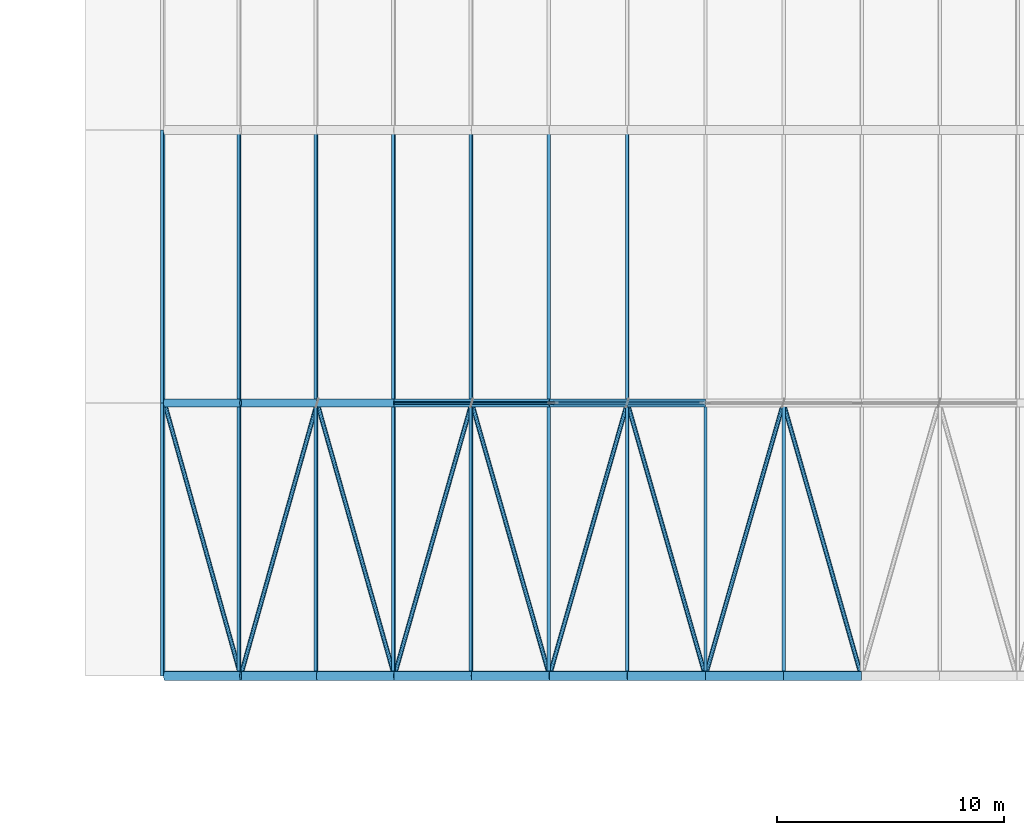
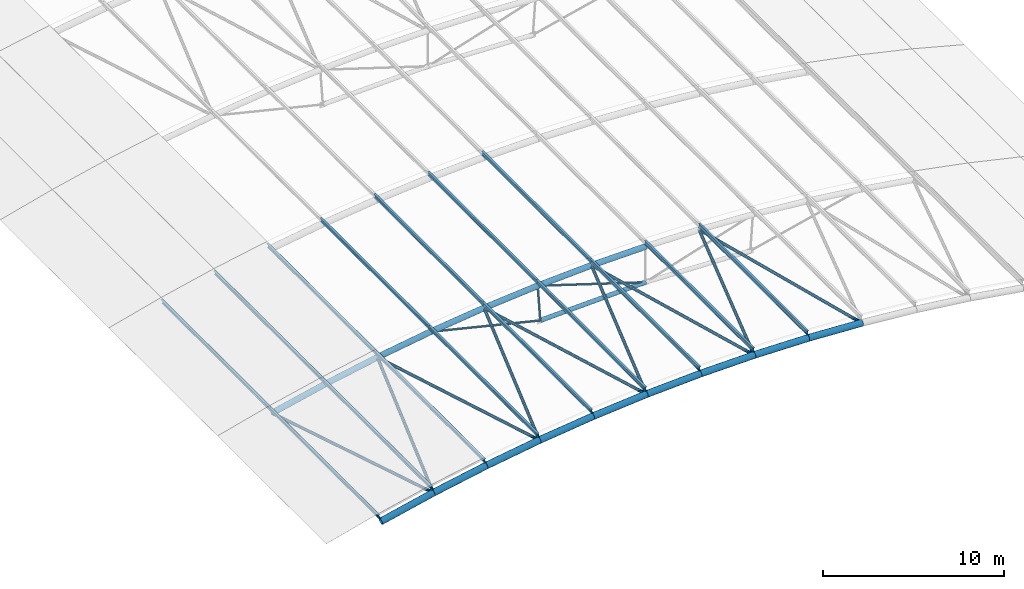
# One storey, part 5 of 91: 45 members.
"""IFC4 building model written with IfcOpenShell, lengths in metres."""

from ifc_helpers import new_model, si_unit, direction, frame, origin, origin_2d, place, context, subcontext, project, spatial, hollow_circle, i_section, extrude, material, material_profile, profile_set, type_object, element, save


model = new_model("IFC4")

# Units and contexts
model_context = context("Model", 3, precision=1e-05, world=origin(), true_north=direction((0.0, 1.0)))
body_context = subcontext(model_context, "Body", "Model", "MODEL_VIEW")
ifc_project = project(units=[si_unit("LENGTHUNIT", "METRE"), si_unit("AREAUNIT", "SQUARE_METRE"), si_unit("VOLUMEUNIT", "CUBIC_METRE"), si_unit("PLANEANGLEUNIT", "RADIAN"), si_unit("MASSUNIT", "GRAM", prefix="KILO")], contexts=[model_context])

# Site, building, storey
site_placement = place(None, origin())
site = spatial("IfcSite", under=ifc_project, at=site_placement, CompositionType="ELEMENT")
building_placement = place(site_placement, origin())
building = spatial("IfcBuilding", under=site, at=building_placement, Name="Ravi Spectrum Wholesale Market", CompositionType="ELEMENT")
storey_placement = place(building_placement, frame((0.0, 0.0, 16.199951171875)))
storey = spatial("IfcBuildingStorey", under=building, at=storey_placement, Name="ROOF PLANT LEVEL", CompositionType="ELEMENT", Elevation=16.199951171875)

# Members
ifc_material_1 = material(Name="Steel S355", Category="steel")
ifc_material_profile_1 = material_profile(ifc_material_1, hollow_circle(Radius=0.06982421875, WallThickness=0.0048828125, at=origin_2d()))
ifc_profile_set_1 = profile_set([ifc_material_profile_1], Name="Steel S355")
member_type_1 = type_object("IfcMemberType", Name="CHS 139.7x5 brace", PredefinedType="BRACE", material=ifc_profile_set_1)
member_1_placement = place(storey_placement, frame((56.318115234375, 42.0, 2.079833984375), z_axis=(0.97214359809, 0.0, -0.234386059083), x_axis=(0.0, 1.0, 0.0)))
element("IfcMember", 1, at=member_1_placement, inside=storey, type_object=member_type_1, Name="H1-MB-L02-150", PredefinedType="BRACE", context=body_context, shape_type="SweptSolid", body=[
    extrude(hollow_circle(Radius=0.06982421875, WallThickness=0.0048828125, at=origin_2d()), origin(), (0.0, 0.0, 1.0), 7.190185546875),
])
member_2_placement = place(storey_placement, frame((63.142822265625, 42.0, 2.788818359375), z_axis=(0.953666273238, 0.0, -0.300866480833), x_axis=(0.0, 1.0, 0.0)))
element("IfcMember", 2, at=member_2_placement, inside=storey, type_object=member_type_1, Name="H1-MB-L02-151", PredefinedType="BRACE", context=body_context, shape_type="SweptSolid", body=[
    extrude(hollow_circle(Radius=0.06982421875, WallThickness=0.0048828125, at=origin_2d()), origin(), (0.0, 0.0, 1.0), 7.1904296875),
])
ifc_material_2 = material(Name="Steel S355", Category="steel")
ifc_material_profile_2 = material_profile(ifc_material_2, hollow_circle(Radius=0.06982421875, WallThickness=0.0048828125, at=origin_2d()))
ifc_profile_set_2 = profile_set([ifc_material_profile_2], Name="Steel S355")
member_type_2 = type_object("IfcMemberType", Name="CHS 139.7x5 post", PredefinedType="POST", material=ifc_profile_set_2)
member_3_placement = place(storey_placement, frame((63.142822265625, 42.0, 2.788818359375), z_axis=(0.068868423963, 0.0, -0.997625751563), x_axis=(0.0, 1.0, 0.0)))
element("IfcMember", 3, at=member_3_placement, inside=storey, type_object=member_type_2, Name="H1-MB-L02-140", PredefinedType="POST", context=body_context, shape_type="SweptSolid", body=[
    extrude(hollow_circle(Radius=0.06982421875, WallThickness=0.0048828125, at=origin_2d()), origin(), (0.0, 0.0, 1.0), 2.39990234375),
])
ifc_material_3 = material(Name="Steel S355", Category="steel")
ifc_material_profile_3 = material_profile(ifc_material_3, hollow_circle(Radius=0.096923828125, WallThickness=0.00634765625, at=origin_2d()))
ifc_profile_set_3 = profile_set([ifc_material_profile_3], Name="Steel S355")
member_type_3 = type_object("IfcMemberType", Name="CHS 193.7x6.3 brace", PredefinedType="BRACE", material=ifc_profile_set_3)
for number, where, z_axis, x_axis, name in (
    (4, (46.213134765625, 42.0, 0.13916015625), (0.268458266113, -0.961473382103, 0.059153147532), (0.963159952785, 0.26892918278, 0.0), "H1-MB-L02-1589"),
    (5, (49.563720703125, 30.0, 0.87744140625), (0.269573425524, 0.961473986747, 0.053832527904), (-0.962870169495, 0.269964880489, 0.0), "H1-MB-L02-1590"),
):
    element("IfcMember", number, at=place(storey_placement, frame(where, z_axis=z_axis, x_axis=x_axis)), inside=storey, type_object=member_type_3, Name=name, PredefinedType="BRACE", context=body_context, shape_type="SweptSolid", body=[
        extrude(hollow_circle(Radius=0.096923828125, WallThickness=0.00634765625, at=origin_2d()), origin(), (0.0, 0.0, 1.0), 12.48095703125),
    ])
member_4_placement = place(storey_placement, frame((52.92822265625, 42.0, 1.54931640625), z_axis=(0.271882814956, -0.961478100635, 0.040491936611), x_axis=(0.962267289503, 0.272105978532, 0.0)))
element("IfcMember", 6, at=member_4_placement, inside=storey, type_object=member_type_3, Name="H1-MB-L02-1591", PredefinedType="BRACE", context=body_context, shape_type="SweptSolid", body=[
    extrude(hollow_circle(Radius=0.096923828125, WallThickness=0.00634765625, at=origin_2d()), origin(), (0.0, 0.0, 1.0), 12.480712890625),
])
member_5_placement = place(storey_placement, frame((56.321533203125, 30.0, 2.0546875), z_axis=(0.272644331553, 0.961473251867, 0.035131957201), x_axis=(-0.962067152996, 0.272812743702, 0.0)))
element("IfcMember", 7, at=member_5_placement, inside=storey, type_object=member_type_3, Name="H1-MB-L02-1592", PredefinedType="BRACE", context=body_context, shape_type="SweptSolid", body=[
    extrude(hollow_circle(Radius=0.096923828125, WallThickness=0.00634765625, at=origin_2d()), origin(), (0.0, 0.0, 1.0), 12.48095703125),
])
for number, where, z_axis, x_axis, name in (
    (8, (59.724365234375, 42.0, 2.4931640625), (0.274034013599, -0.9614761822, 0.021654340285), (0.961701684624, 0.27409828491, 0.0), "H1-MB-L02-1593"),
    (9, (63.14453125, 30.0, 2.763427734375), (0.274405792689, 0.961476584134, 0.016255432972), (-0.961603639168, 0.274442054245, 0.0), "H1-MB-L02-1594"),
    (10, (66.5693359375, 42.0, 2.96630859375), (0.274875137304, -0.961476142098, 0.002699456942), (0.961479645288, 0.274876138826, 0.0), "H1-MB-L02-1595"),
    (11, (70.0, 30.0, 3.0), (0.274875137304, 0.961476142098, -0.002699456942), (-0.961479645288, 0.274876138826, 0.0), "H1-MB-L02-1596"),
    (12, (73.4306640625, 42.0, 2.96630859375), (0.274405792689, -0.961476584134, -0.016255432972), (0.961603639168, 0.274442054245, 0.0), "H1-MB-L02-1597"),
):
    element("IfcMember", number, at=place(storey_placement, frame(where, z_axis=z_axis, x_axis=x_axis)), inside=storey, type_object=member_type_3, Name=name, PredefinedType="BRACE", context=body_context, shape_type="SweptSolid", body=[
        extrude(hollow_circle(Radius=0.096923828125, WallThickness=0.00634765625, at=origin_2d()), origin(), (0.0, 0.0, 1.0), 12.480712890625),
    ])
ifc_material_4 = material(Name="Steel S355", Category="steel")
ifc_material_profile_4 = material_profile(ifc_material_4, hollow_circle(Radius=0.136474609375, WallThickness=0.010009765625, at=origin_2d()))
ifc_profile_set_4 = profile_set([ifc_material_profile_4], Name="Steel S355")
member_type_4 = type_object("IfcMemberType", Name="CHS 273x10 chord", PredefinedType="CHORD", material=ifc_profile_set_4)
member_6_placement = place(storey_placement, frame((63.30810546875, 42.0, 0.39453125), z_axis=(0.999404959621, 0.0, 0.034492414878), x_axis=(0.0, 1.0, 0.0)))
element("IfcMember", 13, at=member_6_placement, inside=storey, type_object=member_type_4, Name="H1-MB-L02-129", PredefinedType="CHORD", context=body_context, shape_type="SweptSolid", body=[
    extrude(hollow_circle(Radius=0.136474609375, WallThickness=0.010009765625, at=origin_2d()), origin(), (0.0, 0.0, 1.0), 6.69580078125),
])
ifc_material_5 = material(Name="Steel S355", Category="steel")
ifc_material_profile_5 = material_profile(ifc_material_5, hollow_circle(Radius=0.177734375, WallThickness=0.012451171875, at=origin_2d()))
ifc_profile_set_5 = profile_set([ifc_material_profile_5], Name="Steel S355")
member_type_5 = type_object("IfcMemberType", Name="CHS 355.6x12.5 chord", PredefinedType="CHORD", material=ifc_profile_set_5)
member_7_placement = place(storey_placement, frame((46.213134765625, 42.0, 0.13916015625), z_axis=(0.974952916083, 0.0, 0.222411356322), x_axis=(0.0, 1.0, 0.0)))
element("IfcMember", 14, at=member_7_placement, inside=storey, type_object=member_type_5, Name="H1-MB-L02-105", PredefinedType="CHORD", context=body_context, shape_type="SweptSolid", body=[
    extrude(hollow_circle(Radius=0.177734375, WallThickness=0.012451171875, at=origin_2d()), origin(), (0.0, 0.0, 1.0), 3.431396484375),
])
for number, where, z_axis, x_axis, name in (
    (15, (49.55859375, 42.0, 0.90234375), (0.982062230733, 0.0, 0.188557086759), (0.0, 1.0, 0.0), "H1-MB-L02-106"),
    (16, (52.92822265625, 42.0, 1.54931640625), (0.987974358509, 0.0, 0.154617809221), (0.0, 1.0, 0.0), "H1-MB-L02-107"),
    (17, (56.318115234375, 42.0, 2.079833984375), (0.992718062095, 0.0, 0.120460986176), (0.0, 1.0, 0.0), "H1-MB-L02-108"),
    (18, (59.724365234375, 42.0, 2.4931640625), (0.996280795756, 0.0, 0.086165979407), (0.0, 1.0, 0.0), "H1-MB-L02-109"),
    (19, (63.142822265625, 42.0, 2.788818359375), (0.998661121681, 0.0, 0.051729721087), (0.0, 1.0, 0.0), "H1-MB-L02-110"),
    (20, (66.5693359375, 42.0, 2.96630859375), (0.99985173868, 0.0, 0.017219194475), (0.0, 1.0, 0.0), "H1-MB-L02-111"),
):
    element("IfcMember", number, at=place(storey_placement, frame(where, z_axis=z_axis, x_axis=x_axis)), inside=storey, type_object=member_type_5, Name=name, PredefinedType="CHORD", context=body_context, shape_type="SweptSolid", body=[
        extrude(hollow_circle(Radius=0.177734375, WallThickness=0.012451171875, at=origin_2d()), origin(), (0.0, 0.0, 1.0), 3.43115234375),
    ])
ifc_material_6 = material(Name="Steel S355", Category="steel")
ifc_material_profile_6 = material_profile(ifc_material_6, hollow_circle(Radius=0.203125, WallThickness=0.01611328125, at=origin_2d()))
ifc_profile_set_6 = profile_set([ifc_material_profile_6], Name="Steel S355")
member_type_6 = type_object("IfcMemberType", Name="CHS 406.4x16 chord", PredefinedType="CHORD", material=ifc_profile_set_6)
for number, where, z_axis, x_axis, name in (
    (21, (46.21923828125, 30.0, 0.114501953125), (0.974954266394, 0.0, 0.222405437074), (0.0, 1.0, 0.0), "H1-MB-L02-006"),
    (22, (49.563720703125, 30.0, 0.87744140625), (0.982054639007, 0.0, 0.188596622463), (0.0, 1.0, 0.0), "H1-MB-L02-007"),
):
    element("IfcMember", number, at=place(storey_placement, frame(where, z_axis=z_axis, x_axis=x_axis)), inside=storey, type_object=member_type_6, Name=name, PredefinedType="CHORD", context=body_context, shape_type="SweptSolid", body=[
        extrude(hollow_circle(Radius=0.203125, WallThickness=0.01611328125, at=origin_2d()), origin(), (0.0, 0.0, 1.0), 3.430419921875),
    ])
for number, where, z_axis, x_axis, name in (
    (23, (52.9326171875, 30.0, 1.5244140625), (0.987978424514, 0.0, 0.154591826096), (0.0, 1.0, 0.0), "H1-MB-L02-008"),
    (24, (56.321533203125, 30.0, 2.0546875), (0.992713930418, 0.0, 0.120495030413), (0.0, 1.0, 0.0), "H1-MB-L02-009"),
):
    element("IfcMember", number, at=place(storey_placement, frame(where, z_axis=z_axis, x_axis=x_axis)), inside=storey, type_object=member_type_6, Name=name, PredefinedType="CHORD", context=body_context, shape_type="SweptSolid", body=[
        extrude(hollow_circle(Radius=0.203125, WallThickness=0.01611328125, at=origin_2d()), origin(), (0.0, 0.0, 1.0), 3.43017578125),
    ])
for number, where, z_axis, x_axis, name in (
    (25, (59.726806640625, 30.0, 2.468017578125), (0.99628531868, 0.0, 0.086113667805), (0.0, 1.0, 0.0), "H1-MB-L02-010"),
    (26, (63.14453125, 30.0, 2.763427734375), (0.998660550273, 0.0, 0.051740751144), (0.0, 1.0, 0.0), "H1-MB-L02-011"),
):
    element("IfcMember", number, at=place(storey_placement, frame(where, z_axis=z_axis, x_axis=x_axis)), inside=storey, type_object=member_type_6, Name=name, PredefinedType="CHORD", context=body_context, shape_type="SweptSolid", body=[
        extrude(hollow_circle(Radius=0.203125, WallThickness=0.01611328125, at=origin_2d()), origin(), (0.0, 0.0, 1.0), 3.430419921875),
    ])
for number, where, z_axis, x_axis, name in (
    (27, (66.5703125, 30.0, 2.94091796875), (0.999851654256, 0.0, 0.01722409598), (0.0, 1.0, 0.0), "H1-MB-L02-012"),
    (28, (70.0, 30.0, 3.0), (0.999851654256, 0.0, -0.01722409598), (0.0, 1.0, 0.0), "H1-MB-L02-013"),
):
    element("IfcMember", number, at=place(storey_placement, frame(where, z_axis=z_axis, x_axis=x_axis)), inside=storey, type_object=member_type_6, Name=name, PredefinedType="CHORD", context=body_context, shape_type="SweptSolid", body=[
        extrude(hollow_circle(Radius=0.203125, WallThickness=0.01611328125, at=origin_2d()), origin(), (0.0, 0.0, 1.0), 3.43017578125),
    ])
member_8_placement = place(storey_placement, frame((73.4296875, 30.0, 2.94091796875), z_axis=(0.998660550273, 0.0, -0.051740751144), x_axis=(0.0, 1.0, 0.0)))
element("IfcMember", 29, at=member_8_placement, inside=storey, type_object=member_type_6, Name="H1-MB-L02-014", PredefinedType="CHORD", context=body_context, shape_type="SweptSolid", body=[
    extrude(hollow_circle(Radius=0.203125, WallThickness=0.01611328125, at=origin_2d()), origin(), (0.0, 0.0, 1.0), 3.430419921875),
])
ifc_material_7 = material(Name="Steel S355", Category="steel")
ifc_material_profile_7 = material_profile(ifc_material_7, i_section(OverallWidth=0.135009765625, OverallDepth=0.27001953125, WebThickness=0.006591796875, FlangeThickness=0.01025390625, at=origin_2d()))
ifc_profile_set_7 = profile_set([ifc_material_profile_7], Name="Steel S355")
member_type_7 = type_object("IfcMemberType", Name="IPE 270 purlin", PredefinedType="PURLIN", material=ifc_profile_set_7)
for number, where, z_axis, x_axis, name in (
    (30, (46.138427734375, 30.0, 0.44287109375), (0.0, 1.0, 0.0), (-0.970982506107, 0.0, -0.239150523382), "H1-MB-L02-1239"),
    (31, (49.494140625, 30.0, 1.208251953125), (0.0, 1.0, 0.0), (-0.978653497036, 0.0, -0.205517232221), "H1-MB-L02-1240"),
    (32, (52.87451171875, 30.0, 1.857666015625), (0.0, 1.0, 0.0), (-0.985159848831, 0.0, -0.171639366844), "H1-MB-L02-1241"),
    (33, (56.275146484375, 30.0, 2.3896484375), (0.0, 1.0, 0.0), (-0.99049381866, 0.0, -0.137557243347), "H1-MB-L02-1242"),
    (34, (59.69189453125, 30.0, 2.804443359375), (0.0, 1.0, 0.0), (-0.994649057067, 0.0, -0.103311438261), "H1-MB-L02-1243"),
    (35, (63.12109375, 30.0, 3.100830078125), (0.0, 1.0, 0.0), (-0.997620623348, 0.0, -0.068942670899), "H1-MB-L02-1244"),
    (36, (66.55859375, 30.0, 3.27880859375), (0.0, 1.0, 0.0), (-0.999404978812, 0.0, -0.034491858836), "H1-MB-L02-1245"),
    (37, (70.0, 30.0, 3.338134765625), (0.0, 1.0, 0.0), (-1.0, 0.0, 0.0), "H1-MB-L02-1246"),
    (38, (73.44140625, 30.0, 3.27880859375), (0.0, 1.0, 0.0), (-0.999404978812, 0.0, 0.034491858836), "H1-MB-L02-1247"),
    (39, (46.138427734375, 42.0, 0.44287109375), (0.0, 1.0, 0.0), (-0.970982506107, 0.0, -0.239150523382), "H1-MB-L02-1264"),
    (40, (49.494140625, 42.0, 1.208251953125), (0.0, 1.0, 0.0), (-0.978653497036, 0.0, -0.205517232221), "H1-MB-L02-1265"),
    (41, (52.87451171875, 42.0, 1.857666015625), (0.0, 1.0, 0.0), (-0.985159848831, 0.0, -0.171639366844), "H1-MB-L02-1266"),
    (42, (56.275146484375, 42.0, 2.3896484375), (0.0, 1.0, 0.0), (-0.99049381866, 0.0, -0.137557243347), "H1-MB-L02-1267"),
    (43, (59.69189453125, 42.0, 2.804443359375), (0.0, 1.0, 0.0), (-0.994649057067, 0.0, -0.103311438261), "H1-MB-L02-1268"),
    (44, (63.12109375, 42.0, 3.100830078125), (0.0, 1.0, 0.0), (-0.997620623348, 0.0, -0.068942670899), "H1-MB-L02-1269"),
    (45, (66.55859375, 42.0, 3.27880859375), (0.0, 1.0, 0.0), (-0.999404978812, 0.0, -0.034491858836), "H1-MB-L02-1270"),
):
    element("IfcMember", number, at=place(storey_placement, frame(where, z_axis=z_axis, x_axis=x_axis)), inside=storey, type_object=member_type_7, Name=name, PredefinedType="PURLIN", context=body_context, shape_type="SweptSolid", body=[
        extrude(i_section(OverallWidth=0.135009765625, OverallDepth=0.27001953125, WebThickness=0.006591796875, FlangeThickness=0.01025390625, at=origin_2d()), origin(), (0.0, 0.0, 1.0), 12.0),
    ])

save(model, "model.ifc")
